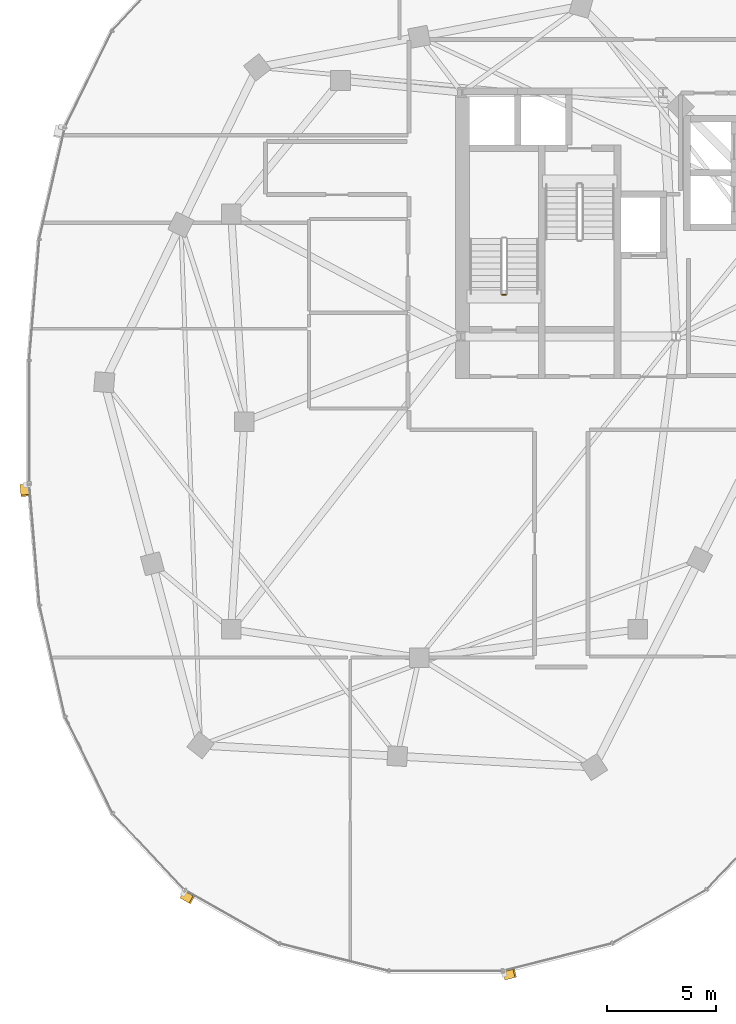
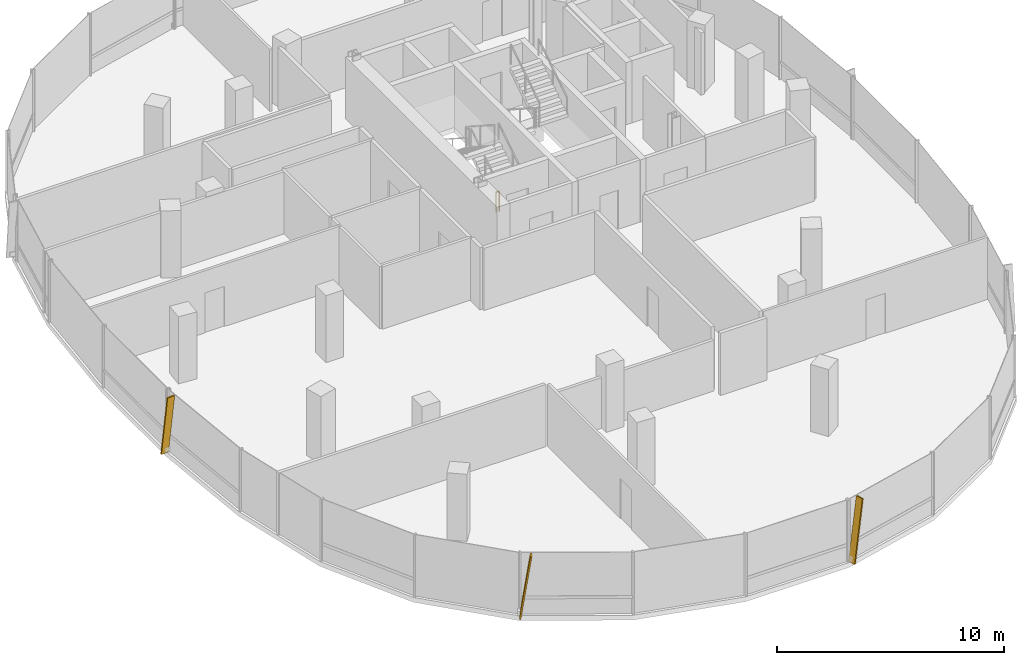
# One storey, part 21 of 25: 3 shading devices, 1 railing.
"""IFC4 building model written with IfcOpenShell, lengths in metres."""

from ifc_helpers import new_model, si_unit, direction, frame, origin, origin_2d, place, context, subcontext, project, spatial, rectangle, extrude, material, material_profile, profile_set, type_object, element, save


model = new_model("IFC4")

# Units and contexts
model_context = context("Model", 3, precision=1e-05, world=origin(), true_north=direction((0.0, 1.0)))
body_context = subcontext(model_context, "Body", "Model", "MODEL_VIEW")
ifc_project = project(units=[si_unit("LENGTHUNIT", "METRE"), si_unit("AREAUNIT", "SQUARE_METRE"), si_unit("VOLUMEUNIT", "CUBIC_METRE"), si_unit("PLANEANGLEUNIT", "RADIAN"), si_unit("MASSUNIT", "GRAM", prefix="KILO"), si_unit("THERMODYNAMICTEMPERATUREUNIT", "KELVIN"), si_unit("POWERUNIT", "WATT")], contexts=[model_context])

# Site, building, storey
site_placement = place(None, origin())
site = spatial("IfcSite", under=ifc_project, at=site_placement, CompositionType="ELEMENT")
building_placement = place(site_placement, origin())
building = spatial("IfcBuilding", under=site, at=building_placement, Name="Cundina Bronze Exchange", CompositionType="ELEMENT")
storey_placement = place(building_placement, frame((0.0, 0.0, 217.0)))
storey = spatial("IfcBuildingStorey", under=building, at=storey_placement, Name="L57", CompositionType="ELEMENT", Elevation=217.0)

# Railing
ifc_material_1 = material(Name="Steel ASTM A36 Painted", Category="steel")
railing_type = type_object("IfcRailingType", Name="RLG-STG-1100", PredefinedType="GUARDRAIL", material=ifc_material_1)
railing_placement = place(storey_placement, frame((-29.239990234375, 5.800048828125, 0.0)))
element("IfcRailing", 1, at=railing_placement, inside=storey, type_object=railing_type, Name="L57 ST-W1 stair guard 4", PredefinedType="GUARDRAIL", context=body_context, shape_type="SweptSolid", body=[
    extrude(rectangle(XDim=0.048095703125, YDim=0.048095703125, at=origin_2d()), frame((0.0, 0.0, 1.076171875), z_axis=(-1.0, 0.0, 0.0), x_axis=(0.0, -1.0, 0.0)), (0.0, 0.0, 1.0), 0.159912109375),
    extrude(rectangle(XDim=0.0419921875, YDim=0.0419921875, at=origin_2d()), origin(), (0.0, 0.0, 1.0), 1.052001953125),
    extrude(rectangle(XDim=0.0419921875, YDim=0.0419921875, at=origin_2d()), frame((-0.159912109375, 0.0, 0.0)), (0.0, 0.0, 1.0), 1.052001953125),
])

# Shading devices
ifc_material_2 = material(Name="Anodised Bronze Aluminium 6063-T6", Category="aluminium")
ifc_material_profile = material_profile(ifc_material_2, rectangle(XDim=0.070068359375, YDim=0.3798828125, at=origin_2d()), Name="FIN70X380", Category="aluminium")
ifc_profile_set = profile_set([ifc_material_profile], Name="Anodised Bronze Aluminium 6063-T6")
shading_device_type = type_object("IfcShadingDeviceType", Name="SHD-FIN-BRZ380", PredefinedType="USERDEFINED", material=ifc_profile_set)
for number, where, z_axis, x_axis, name in (
    (2, (-51.264404296875, -2.90283203125, 0.02001953125), (0.012006555776, -0.143419772964, 0.98958911238), (-0.082555834947, 0.986139516224, 0.143921466983), "L57 Diagonal Bronze Solar Fin 1"),
    (3, (-44.015625, -21.635498046875, 0.02001953125), (0.125189514072, -0.071087145125, 0.989582843103), (-0.860526986551, 0.488638423358, 0.143964567292), "L57 Diagonal Bronze Solar Fin 5"),
    (4, (-29.294189453125, -25.344482421875, 0.02001953125), (0.139611891367, 0.03514090606, 0.989582556693), (-0.959650042543, -0.24154799183, 0.143966536007), "L57 Diagonal Bronze Solar Fin 1"),
):
    element("IfcShadingDevice", number, at=place(storey_placement, frame(where, z_axis=z_axis, x_axis=x_axis)), inside=storey, type_object=shading_device_type, Name=name, ObjectType="FIN", PredefinedType="USERDEFINED", context=body_context, shape_type="SweptSolid", body=[
        extrude(rectangle(XDim=0.070068359375, YDim=0.3798828125, at=origin_2d()), origin(), (0.0, 0.0, 1.0), 3.334716796875),
    ])

save(model, "model.ifc")
